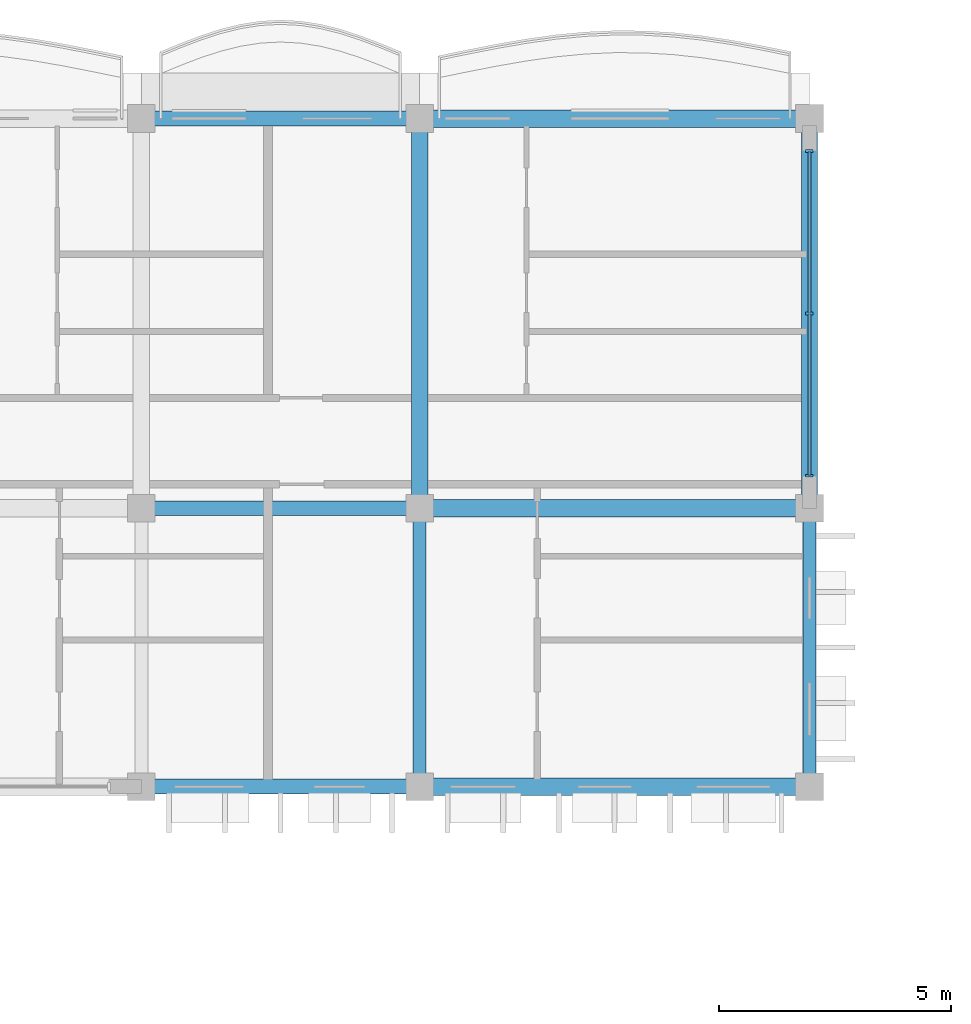
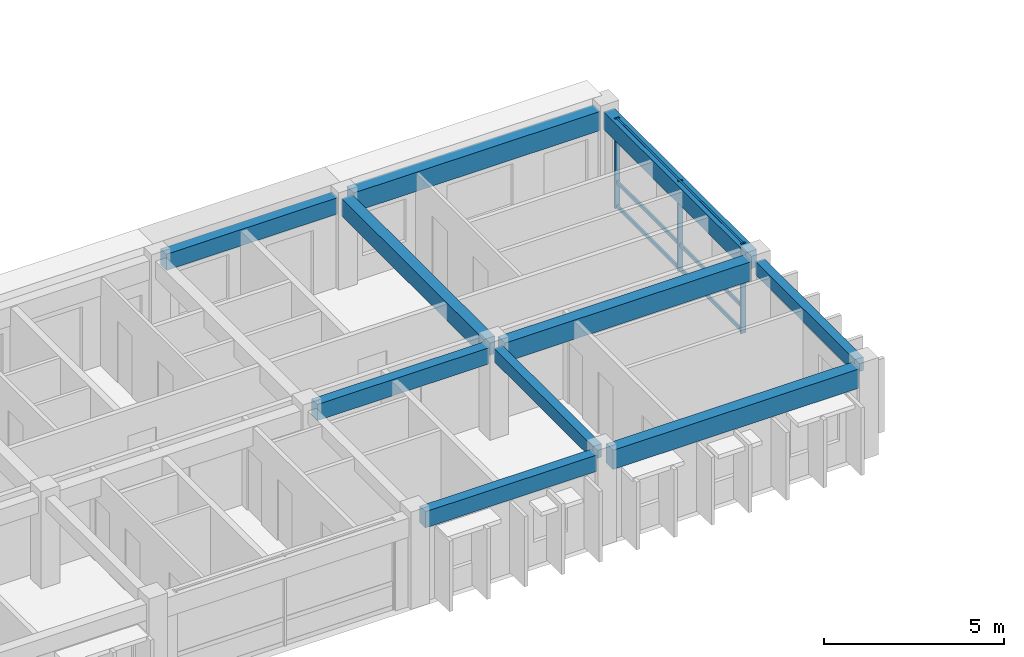
# One storey, part 10 of 68: 10 beams, 6 members, 1 element without a shape of its own.
"""IFC4 building model written with IfcOpenShell, lengths in metres."""

from ifc_helpers import new_model, si_unit, direction, frame, origin, origin_2d, place, context, subcontext, project, spatial, rectangle, extrude, material, material_profile, profile_set, type_object, element, aggregate, save


model = new_model("IFC4")

# Units and contexts
model_context = context("Model", 3, precision=1e-05, world=origin(), true_north=direction((0.0, 1.0)))
body_context = subcontext(model_context, "Body", "Model", "MODEL_VIEW")
ifc_project = project(units=[si_unit("LENGTHUNIT", "METRE"), si_unit("AREAUNIT", "SQUARE_METRE"), si_unit("VOLUMEUNIT", "CUBIC_METRE"), si_unit("PLANEANGLEUNIT", "RADIAN"), si_unit("MASSUNIT", "GRAM", prefix="KILO"), si_unit("THERMODYNAMICTEMPERATUREUNIT", "KELVIN")], contexts=[model_context])

# Site, building, storey
site_placement = place(None, origin())
site = spatial("IfcSite", under=ifc_project, at=site_placement, CompositionType="ELEMENT")
building_placement = place(site_placement, origin())
building = spatial("IfcBuilding", under=site, at=building_placement, Name="Thalorik Housing Commons", CompositionType="ELEMENT")
storey_placement = place(building_placement, frame((0.0, 0.0, 24.60009765625)))
storey = spatial("IfcBuildingStorey", under=building, at=storey_placement, Name="L07", CompositionType="ELEMENT", Elevation=24.60009765625)

# Curtain wall, members
ifc_material_1 = material(Name="Anodised aluminium and solar-control low-E glass", Category="aluminium")
curtain_wall_type = type_object("IfcCurtainWallType", Name="ARC-CW-LOUNGE", PredefinedType="USERDEFINED", material=ifc_material_1)
curtain_wall_placement = place(storey_placement, origin())
curtain_wall = element("IfcCurtainWall", 1, at=curtain_wall_placement, inside=storey, type_object=curtain_wall_type, Name="L07 Curtain Wall CW-RES-L07-A-030", ObjectType="CURTAIN WALL", PredefinedType="USERDEFINED")
ifc_material_2 = material(Name="Anodised aluminium 6063-T6", Category="aluminium")
ifc_material_profile_1 = material_profile(ifc_material_2, rectangle(XDim=0.06005859375, YDim=0.159912109375, at=origin_2d()), Name="ALU MUL 60x160", Category="aluminium")
ifc_profile_set_1 = profile_set([ifc_material_profile_1], Name="Anodised aluminium 6063-T6")
member_type_1 = type_object("IfcMemberType", Name="ARC-CW-MUL-60x160", PredefinedType="MULLION", material=ifc_profile_set_1)
member_1_placement = place(storey_placement, frame((51.60009765625, 115.89990234375, 0.0), z_axis=(0.0, 0.0, 1.0), x_axis=(0.0, 1.0, 0.0)))
member_1 = element("IfcMember", 2, at=member_1_placement, type_object=member_type_1, Name="CW-RES-L07-A-030 Mullion 1", PredefinedType="MULLION", context=body_context, shape_type="SweptSolid", body=[
    extrude(rectangle(XDim=0.06005859375, YDim=0.159912109375, at=origin_2d()), origin(), (0.0, 0.0, 1.0), 3.039794921875),
])
member_2_placement = place(storey_placement, frame((51.60009765625, 119.39990234375, 0.0), z_axis=(0.0, 0.0, 1.0), x_axis=(0.0, 1.0, 0.0)))
member_2 = element("IfcMember", 3, at=member_2_placement, type_object=member_type_1, Name="CW-RES-L07-A-030 Mullion 2", PredefinedType="MULLION", context=body_context, shape_type="SweptSolid", body=[
    extrude(rectangle(XDim=0.06005859375, YDim=0.159912109375, at=origin_2d()), origin(), (0.0, 0.0, 1.0), 3.039794921875),
])
member_3_placement = place(storey_placement, frame((51.60009765625, 122.89990234375, 0.0), z_axis=(0.0, 0.0, 1.0), x_axis=(0.0, 1.0, 0.0)))
member_3 = element("IfcMember", 4, at=member_3_placement, type_object=member_type_1, Name="CW-RES-L07-A-030 Mullion 3", PredefinedType="MULLION", context=body_context, shape_type="SweptSolid", body=[
    extrude(rectangle(XDim=0.06005859375, YDim=0.159912109375, at=origin_2d()), origin(), (0.0, 0.0, 1.0), 3.039794921875),
])
ifc_material_profile_2 = material_profile(ifc_material_2, rectangle(XDim=0.06005859375, YDim=0.1201171875, at=origin_2d()), Name="ALU TRN 60x120", Category="aluminium")
ifc_profile_set_2 = profile_set([ifc_material_profile_2], Name="Anodised aluminium 6063-T6")
member_type_2 = type_object("IfcMemberType", Name="ARC-CW-TRN-60x120", PredefinedType="USERDEFINED", material=ifc_profile_set_2)
member_4_placement = place(storey_placement, frame((51.60009765625, 115.89990234375, 0.054931640625), z_axis=(0.0, 1.0, 0.0), x_axis=(-1.0, 0.0, 0.0)))
member_4 = element("IfcMember", 5, at=member_4_placement, type_object=member_type_2, Name="CW-RES-L07-A-030 Transom 1", ObjectType="TRANSOM", PredefinedType="USERDEFINED", context=body_context, shape_type="SweptSolid", body=[
    extrude(rectangle(XDim=0.06005859375, YDim=0.1201171875, at=origin_2d()), origin(), (0.0, 0.0, 1.0), 7.0),
])
member_5_placement = place(storey_placement, frame((51.60009765625, 115.89990234375, 0.8798828125), z_axis=(0.0, 1.0, 0.0), x_axis=(-1.0, 0.0, 0.0)))
member_5 = element("IfcMember", 6, at=member_5_placement, type_object=member_type_2, Name="CW-RES-L07-A-030 Transom 2", ObjectType="TRANSOM", PredefinedType="USERDEFINED", context=body_context, shape_type="SweptSolid", body=[
    extrude(rectangle(XDim=0.06005859375, YDim=0.1201171875, at=origin_2d()), origin(), (0.0, 0.0, 1.0), 7.0),
])
member_6_placement = place(storey_placement, frame((51.60009765625, 115.89990234375, 2.98486328125), z_axis=(0.0, 1.0, 0.0), x_axis=(-1.0, 0.0, 0.0)))
member_6 = element("IfcMember", 7, at=member_6_placement, type_object=member_type_2, Name="CW-RES-L07-A-030 Transom 3", ObjectType="TRANSOM", PredefinedType="USERDEFINED", context=body_context, shape_type="SweptSolid", body=[
    extrude(rectangle(XDim=0.06005859375, YDim=0.1201171875, at=origin_2d()), origin(), (0.0, 0.0, 1.0), 7.0),
])
aggregate(curtain_wall, [member_1, member_2, member_3, member_4, member_5, member_6])

# Beams
ifc_material_3 = material(Name="Precast concrete C40/50", Category="concrete")
ifc_material_profile_3 = material_profile(ifc_material_3, rectangle(XDim=0.280029296875, YDim=0.449951171875, at=origin_2d()), Name="PC 280x450", Category="concrete")
ifc_profile_set_3 = profile_set([ifc_material_profile_3], Name="Precast concrete C40/50")
beam_type_1 = type_object("IfcBeamType", Name="STR-BM-PC280x450", PredefinedType="BEAM", material=ifc_profile_set_3)
for number, where, z_axis, x_axis, name in (
    (8, (43.199951171875, 109.449951171875, 2.81494140625), (0.0, 1.0, 0.0), (-1.0, 0.0, 0.0), "L07 Beam B-450"),
    (9, (51.60009765625, 109.449951171875, 2.81494140625), (0.0, 1.0, 0.0), (-1.0, 0.0, 0.0), "L07 Beam B-450"),
):
    element("IfcBeam", number, at=place(storey_placement, frame(where, z_axis=z_axis, x_axis=x_axis)), inside=storey, type_object=beam_type_1, Name=name, PredefinedType="BEAM", context=body_context, shape_type="SweptSolid", body=[
        extrude(rectangle(XDim=0.280029296875, YDim=0.449951171875, at=origin_2d()), origin(), (0.0, 0.0, 1.0), 5.5),
    ])
ifc_material_profile_4 = material_profile(ifc_material_3, rectangle(XDim=0.320068359375, YDim=0.550048828125, at=origin_2d()), Name="PC 320x550", Category="concrete")
ifc_profile_set_4 = profile_set([ifc_material_profile_4], Name="Precast concrete C40/50")
beam_type_2 = type_object("IfcBeamType", Name="STR-BM-PC320x550", PredefinedType="BEAM", material=ifc_profile_set_4)
for number, where, z_axis, x_axis, name in (
    (10, (37.449951171875, 109.199951171875, 2.764892578125), (1.0, 0.0, 0.0), (0.0, 1.0, 0.0), "L07 Beam B-550"),
    (11, (37.449951171875, 115.199951171875, 2.764892578125), (1.0, 0.0, 0.0), (0.0, 1.0, 0.0), "L07 Beam B-550"),
    (12, (37.449951171875, 123.60009765625, 2.764892578125), (1.0, 0.0, 0.0), (0.0, 1.0, 0.0), "L07 Beam B-550"),
):
    element("IfcBeam", number, at=place(storey_placement, frame(where, z_axis=z_axis, x_axis=x_axis)), inside=storey, type_object=beam_type_2, Name=name, PredefinedType="BEAM", context=body_context, shape_type="SweptSolid", body=[
        extrude(rectangle(XDim=0.320068359375, YDim=0.550048828125, at=origin_2d()), origin(), (0.0, 0.0, 1.0), 5.5),
    ])
ifc_material_profile_5 = material_profile(ifc_material_3, rectangle(XDim=0.35009765625, YDim=0.60009765625, at=origin_2d()), Name="PC 350x600", Category="concrete")
ifc_profile_set_5 = profile_set([ifc_material_profile_5], Name="Precast concrete C40/50")
beam_type_3 = type_object("IfcBeamType", Name="STR-BM-PC350x600", PredefinedType="BEAM", material=ifc_profile_set_5)
for number, where, z_axis, x_axis, name in (
    (13, (43.199951171875, 115.449951171875, 2.739990234375), (0.0, 1.0, 0.0), (-1.0, 0.0, 0.0), "L07 Beam B-600"),
    (14, (51.60009765625, 115.449951171875, 2.739990234375), (0.0, 1.0, 0.0), (-1.0, 0.0, 0.0), "L07 Beam B-600"),
):
    element("IfcBeam", number, at=place(storey_placement, frame(where, z_axis=z_axis, x_axis=x_axis)), inside=storey, type_object=beam_type_3, Name=name, PredefinedType="BEAM", context=body_context, shape_type="SweptSolid", body=[
        extrude(rectangle(XDim=0.35009765625, YDim=0.60009765625, at=origin_2d()), origin(), (0.0, 0.0, 1.0), 7.900146484375),
    ])
ifc_material_profile_6 = material_profile(ifc_material_3, rectangle(XDim=0.3798828125, YDim=0.64990234375, at=origin_2d()), Name="PC 380x650", Category="concrete")
ifc_profile_set_6 = profile_set([ifc_material_profile_6], Name="Precast concrete C40/50")
beam_type_4 = type_object("IfcBeamType", Name="STR-BM-PC380x650", PredefinedType="BEAM", material=ifc_profile_set_6)
for number, where, z_axis, x_axis, name in (
    (15, (43.449951171875, 109.199951171875, 2.71484375), (1.0, 0.0, 0.0), (0.0, 1.0, 0.0), "L07 Beam B-650"),
    (16, (43.449951171875, 115.199951171875, 2.71484375), (1.0, 0.0, 0.0), (0.0, 1.0, 0.0), "L07 Beam B-650"),
    (17, (43.449951171875, 123.60009765625, 2.71484375), (1.0, 0.0, 0.0), (0.0, 1.0, 0.0), "L07 Beam B-650"),
):
    element("IfcBeam", number, at=place(storey_placement, frame(where, z_axis=z_axis, x_axis=x_axis)), inside=storey, type_object=beam_type_4, Name=name, PredefinedType="BEAM", context=body_context, shape_type="SweptSolid", body=[
        extrude(rectangle(XDim=0.3798828125, YDim=0.64990234375, at=origin_2d()), origin(), (0.0, 0.0, 1.0), 7.900146484375),
    ])

save(model, "model.ifc")
